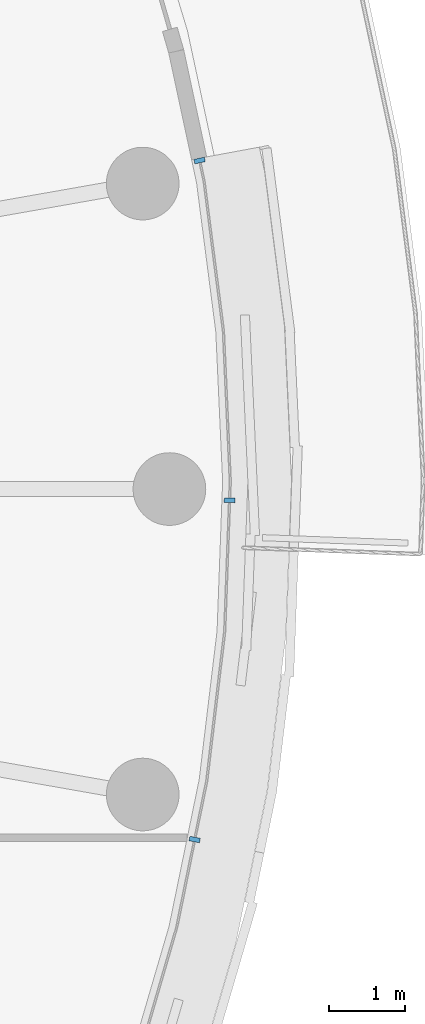
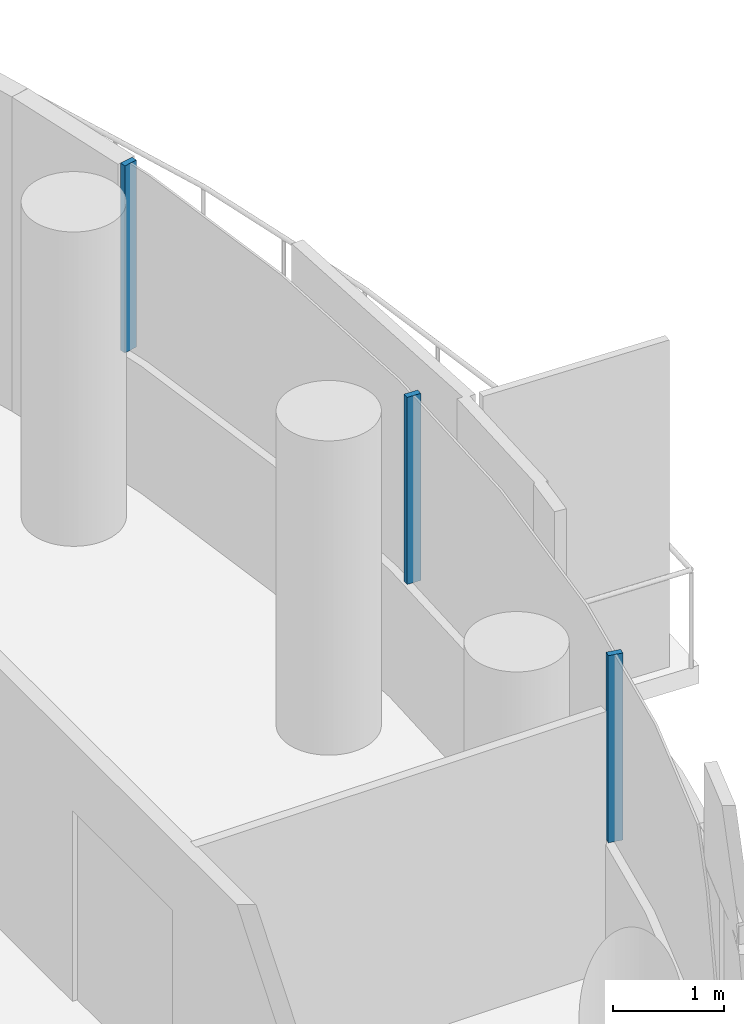
# One storey, part 13 of 31: 3 members, 1 element without a shape of its own.
"""IFC4 building model written with IfcOpenShell, lengths in metres."""

import ifcopenshell
import ifcopenshell.guid

model = None  # the IFC model being written
_history = None  # IfcOwnerHistory: only IFC2X3 demands one
_inside = {}  # id of a spatial element -> (the spatial element, [elements in it])
_under = {}  # id of a project, library or spatial element -> (it, [spatial elements below it])
_declared = {}  # id of a project -> (the project, [libraries it declares])
_typed = {}  # id of a type object -> (the type object, [elements of that type])
_made_of = {}  # id of a material, layer set ... -> (it, [elements and type objects made of it])


def new_model(schema):
    """Start an empty IFC model of exactly this schema.

    Asked for "IFC4X3", IfcOpenShell would pick the latest addendum, in which some entities
    have other attributes; the version numbers below select the first issue.
    IFC2X3 requires an IfcOwnerHistory on every rooted entity: one is made here for all.
    """
    global model, _history
    if schema == "IFC4X3":
        model = ifcopenshell.file(schema_version=(4, 3, 0, 0))
    else:
        model = ifcopenshell.file(schema=schema)
    _inside.clear()
    _under.clear()
    _declared.clear()
    _typed.clear()
    _made_of.clear()
    _history = None
    if model.schema == "IFC2X3":
        org = make("IfcOrganization", Name="unknown")
        user = make(
            "IfcPersonAndOrganization",
            ThePerson=make("IfcPerson", FamilyName="unknown"),
            TheOrganization=org,
        )
        app = make(
            "IfcApplication",
            ApplicationDeveloper=org,
            Version="unknown",
            ApplicationFullName="unknown",
            ApplicationIdentifier="unknown",
        )
        _history = make(
            "IfcOwnerHistory",
            OwningUser=user,
            OwningApplication=app,
            ChangeAction="ADDED",
            CreationDate=0,
        )
    return model


def make(cls, **values):
    """One entity of the class cls with the attributes given. An attribute that is None is left unset."""
    return model.create_entity(
        cls, **{name: value for name, value in values.items() if value is not None}
    )


def rooted(cls, **values):
    """An entity with a GlobalId (a new one), such as an element, a storey or a relation."""
    return make(cls, GlobalId=ifcopenshell.guid.new(), OwnerHistory=_history, **values)


def si_unit(unit_type, name, prefix=None):
    """IfcSIUnit, for example si_unit("LENGTHUNIT", "METRE", prefix="MILLI")."""
    return make("IfcSIUnit", UnitType=unit_type, Prefix=prefix, Name=name)


def assignment(units):
    """IfcUnitAssignment: the units of a project."""
    return None if units is None else make("IfcUnitAssignment", Units=units)


def point(xyz):
    """IfcCartesianPoint."""
    return None if xyz is None else make("IfcCartesianPoint", Coordinates=xyz)


def direction(xyz):
    """IfcDirection."""
    return None if xyz is None else make("IfcDirection", DirectionRatios=xyz)


def frame(location, z_axis=None, x_axis=None):
    """IfcAxis2Placement3D, a coordinate frame: its origin and axes. An axis left out is left unset."""
    return make(
        "IfcAxis2Placement3D",
        Location=point(location),
        Axis=direction(z_axis),
        RefDirection=direction(x_axis),
    )


def frame_2d(location, x_axis=None):
    """IfcAxis2Placement2D, a coordinate frame in the plane: its origin and x axis."""
    return make(
        "IfcAxis2Placement2D", Location=point(location), RefDirection=direction(x_axis)
    )


def origin():
    """The frame at (0, 0, 0) with its axes left unset."""
    return frame((0.0, 0.0, 0.0))


def origin_2d():
    """The frame at (0, 0) in the plane with its x axis left unset."""
    return frame_2d((0.0, 0.0))


def place(relative_to, where):
    """IfcLocalPlacement: puts the frame where relative to a parent placement (None: the world)."""
    return make(
        "IfcLocalPlacement", PlacementRelTo=relative_to, RelativePlacement=where
    )


def context(
    kind, dimensions, precision=None, world=None, true_north=None, identifier=None
):
    """IfcGeometricRepresentationContext, for example the 3D "Model" context."""
    return make(
        "IfcGeometricRepresentationContext",
        ContextIdentifier=identifier,
        ContextType=kind,
        CoordinateSpaceDimension=dimensions,
        Precision=precision,
        WorldCoordinateSystem=world,
        TrueNorth=true_north,
    )


def subcontext(parent, identifier, kind, view, scale=None):
    """IfcGeometricRepresentationSubContext, for example "Body" below "Model"."""
    return make(
        "IfcGeometricRepresentationSubContext",
        ContextIdentifier=identifier,
        ContextType=kind,
        ParentContext=parent,
        TargetScale=scale,
        TargetView=view,
    )


def project(units=None, contexts=None):
    """IfcProject with its units and contexts."""
    return rooted(
        "IfcProject",
        Name="project",
        RepresentationContexts=contexts,
        UnitsInContext=assignment(units),
    )


def spatial(cls, under=None, at=None, **own):
    """A site, building, storey or space (cls), placed at a placement, below another one or the project."""
    s = rooted(cls, ObjectPlacement=at, **own)
    if under is not None:
        _under.setdefault(under.id(), (under, []))[1].append(s)
    return s


def profile(cls, at=None, kind="AREA", **sizes):
    """A parametric profile (cls). Its sizes go by their IFC names, for example OverallWidth=200.0."""
    return make(cls, ProfileType=kind, Position=at, **sizes)


def rectangle(**sizes):
    """IfcRectangleProfileDef."""
    return profile("IfcRectangleProfileDef", **sizes)


def extrude(swept, where, along, depth):
    """IfcExtrudedAreaSolid: the profile swept, set in the frame where, extruded along a direction by depth."""
    return make(
        "IfcExtrudedAreaSolid",
        SweptArea=swept,
        Position=where,
        ExtrudedDirection=direction(along),
        Depth=depth,
    )


def shape(context_of_items, identifier, shape_type, items):
    """IfcShapeRepresentation: the items that make up one representation, for example the "Body"."""
    return make(
        "IfcShapeRepresentation",
        ContextOfItems=context_of_items,
        RepresentationIdentifier=identifier,
        RepresentationType=shape_type,
        Items=items,
    )


def material(Name=None, Category=None):
    """IfcMaterial."""
    return make("IfcMaterial", Name=Name, Category=Category)


def layer(
    of_material, thickness, ventilated=None, Name=None, Category=None, Priority=None
):
    """IfcMaterialLayer: one layer of a wall or slab, of a material (None: an air gap)."""
    return make(
        "IfcMaterialLayer",
        Material=of_material,
        LayerThickness=thickness,
        IsVentilated=ventilated,
        Name=Name,
        Category=Category,
        Priority=Priority,
    )


def layer_set(layers, Name=None):
    """IfcMaterialLayerSet."""
    return make("IfcMaterialLayerSet", MaterialLayers=layers, LayerSetName=Name)


def material_profile(
    of_material, cross_section, Name=None, Category=None, Priority=None
):
    """IfcMaterialProfile: a cross section and its material."""
    return make(
        "IfcMaterialProfile",
        Name=Name,
        Material=of_material,
        Profile=cross_section,
        Priority=Priority,
        Category=Category,
    )


def profile_set(profiles, Name=None, composite=None):
    """IfcMaterialProfileSet."""
    return make(
        "IfcMaterialProfileSet",
        Name=Name,
        MaterialProfiles=profiles,
        CompositeProfile=composite,
    )


def made_of(thing, what):
    """Note that an element or type object is made of a material, layer set ...; save() writes the relation."""
    if what is not None:
        _made_of.setdefault(what.id(), (what, []))[1].append(thing)
    return thing


def type_object(cls, material=None, **own):
    """A type object (cls), such as IfcWallType, which elements share."""
    return made_of(rooted(cls, **own), material)


def element(
    cls,
    number,
    at=None,
    inside=None,
    cuts=None,
    type_object=None,
    material=None,
    context=None,
    identifier="Body",
    shape_type=None,
    held_by="IfcProductDefinitionShape",
    body=None,
    shapes=None,
    **own,
):
    """One element of the class cls, such as IfcWall. Its Tag is "e" and its number.

    at: its placement. inside: the storey or other place that contains it. cuts: it is an
    opening in that element (IfcRelVoidsElement). A single representation is given by context,
    identifier, shape_type and body (its items); several are given by shapes. held_by: the class
    of the entity that holds the representations. save() writes the other relations.
    """
    e = rooted(cls, Tag="e%d" % number, ObjectPlacement=at, **own)
    if body is not None:
        shapes = [shape(context, identifier, shape_type, body)]
    if shapes is not None:
        e.Representation = make(held_by, Representations=shapes)
    if inside is not None:
        _inside.setdefault(inside.id(), (inside, []))[1].append(e)
    if cuts is not None:
        rooted(
            "IfcRelVoidsElement", RelatingBuildingElement=cuts, RelatedOpeningElement=e
        )
    if type_object is not None:
        _typed.setdefault(type_object.id(), (type_object, []))[1].append(e)
    return made_of(e, material)


def aggregate(whole, parts):
    """IfcRelAggregates: a whole, such as a stair, and the parts it consists of."""
    return rooted("IfcRelAggregates", RelatingObject=whole, RelatedObjects=parts)


def save(model, path):
    """Write the relations noted so far, then the file.

    IfcRelAggregates (storeys below a building ...), IfcRelContainedInSpatialStructure (elements
    in a storey), IfcRelDefinesByType, IfcRelAssociatesMaterial and IfcRelDeclares: one each for
    every whole, place, type object, material and project.
    """
    for whole, parts in _under.values():
        aggregate(whole, parts)
    for where, things in _inside.values():
        rooted(
            "IfcRelContainedInSpatialStructure",
            RelatedElements=things,
            RelatingStructure=where,
        )
    for kind, things in _typed.values():
        rooted("IfcRelDefinesByType", RelatedObjects=things, RelatingType=kind)
    for what, things in _made_of.values():
        rooted("IfcRelAssociatesMaterial", RelatedObjects=things, RelatingMaterial=what)
    for by, libraries in _declared.values():
        rooted("IfcRelDeclares", RelatingContext=by, RelatedDefinitions=libraries)
    model.write(path)


model = new_model("IFC4")

# Units and contexts
model_context = context("Model", 3, precision=1e-05, world=origin(), true_north=direction((0.0, 1.0)))
body_context = subcontext(model_context, "Body", "Model", "MODEL_VIEW")
ifc_project = project(units=[si_unit("LENGTHUNIT", "METRE"), si_unit("AREAUNIT", "SQUARE_METRE"), si_unit("VOLUMEUNIT", "CUBIC_METRE"), si_unit("PLANEANGLEUNIT", "RADIAN"), si_unit("MASSUNIT", "GRAM", prefix="KILO")], contexts=[model_context])

# Site, building, storey
site_placement = place(None, origin())
site = spatial("IfcSite", under=ifc_project, at=site_placement, CompositionType="ELEMENT")
building_placement = place(site_placement, origin())
building = spatial("IfcBuilding", under=site, at=building_placement, Name="Tamarind Cross Interchange Tower", CompositionType="ELEMENT")
storey_placement = place(building_placement, frame((0.0, 0.0, 207.699951171875)))
storey = spatial("IfcBuildingStorey", under=building, at=storey_placement, Name="L52", CompositionType="ELEMENT", Elevation=207.699951171875)

# Curtain wall, members
ifc_material = material(Name="Aluminium 6063-T6", Category="aluminium")
ifc_layer = layer(ifc_material, 0.139892578125)
ifc_layer_set = layer_set([ifc_layer], Name="Aluminium 6063-T6")
curtain_wall_type = type_object("IfcCurtainWallType", Name="Hotel curtain wall, 4.5 m bays", PredefinedType="NOTDEFINED", material=ifc_layer_set)
curtain_wall_placement = place(storey_placement, origin())
curtain_wall = element("IfcCurtainWall", 1, at=curtain_wall_placement, inside=storey, type_object=curtain_wall_type, Name="CWS-L52-06", PredefinedType="NOTDEFINED")
ifc_material_profile = material_profile(ifc_material, rectangle(XDim=0.06005859375, YDim=0.139892578125, at=origin_2d()), Name="Mullion CW2")
ifc_profile_set = profile_set([ifc_material_profile], Name="Aluminium 6063-T6")
member_type = type_object("IfcMemberType", Name="Mullion CW2", PredefinedType="MULLION", material=ifc_profile_set)
member_1_placement = place(storey_placement, frame((23.33056640625, -4.582275390625, 1.400146484375), z_axis=(0.0, 0.0, 1.0), x_axis=(0.201001463943, 0.9795909409, 0.0)))
member_1 = element("IfcMember", 2, at=member_1_placement, type_object=member_type, Name="CWM-L52-06-05", PredefinedType="MULLION", context=body_context, shape_type="SweptSolid", body=[
    extrude(rectangle(XDim=0.06005859375, YDim=0.139892578125, at=origin_2d()), origin(), (0.0, 0.0, 1.0), 2.059814453125),
])
member_2_placement = place(storey_placement, frame((23.786376953125, -0.146484375, 1.400146484375), z_axis=(0.0, 0.0, 1.0), x_axis=(0.037024696392, 0.999314350871, 0.0)))
member_2 = element("IfcMember", 3, at=member_2_placement, type_object=member_type, Name="CWM-L52-06-06", PredefinedType="MULLION", context=body_context, shape_type="SweptSolid", body=[
    extrude(rectangle(XDim=0.06005859375, YDim=0.139892578125, at=origin_2d()), origin(), (0.0, 0.0, 1.0), 2.059814453125),
])
member_3_placement = place(storey_placement, frame((23.39453125, 4.295654296875, 1.400146484375), z_axis=(0.0, 0.0, 1.0), x_axis=(-0.209425419705, 0.977824623121, 0.0)))
member_3 = element("IfcMember", 4, at=member_3_placement, type_object=member_type, Name="CWM-L52-06-07", PredefinedType="MULLION", context=body_context, shape_type="SweptSolid", body=[
    extrude(rectangle(XDim=0.06005859375, YDim=0.139892578125, at=origin_2d()), origin(), (0.0, 0.0, 1.0), 2.059814453125),
])
aggregate(curtain_wall, [member_1, member_2, member_3])

save(model, "model.ifc")
